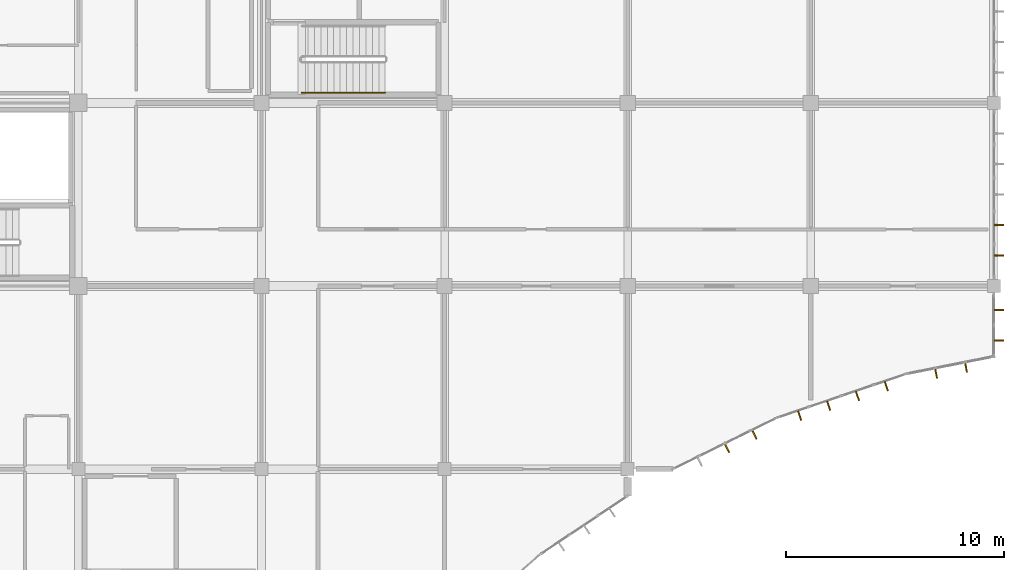
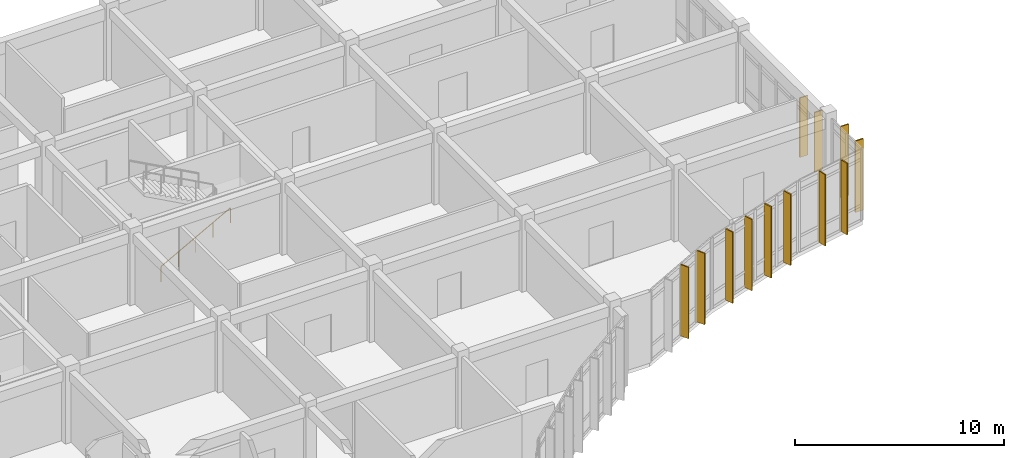
# One storey, part 142 of 144: 12 shading devices, 1 railing.
"""IFC4 building model written with IfcOpenShell, lengths in metres."""

from ifc_helpers import new_model, si_unit, direction, frame, origin, origin_2d, place, context, subcontext, project, spatial, rectangle, circle, extrude, material, material_profile, profile_set, type_object, element, save


model = new_model("IFC4")

# Units and contexts
model_context = context("Model", 3, precision=1e-05, world=origin(), true_north=direction((0.0, 1.0)))
body_context = subcontext(model_context, "Body", "Model", "MODEL_VIEW")
ifc_project = project(units=[si_unit("LENGTHUNIT", "METRE"), si_unit("AREAUNIT", "SQUARE_METRE"), si_unit("VOLUMEUNIT", "CUBIC_METRE"), si_unit("PLANEANGLEUNIT", "RADIAN"), si_unit("MASSUNIT", "GRAM", prefix="KILO")], contexts=[model_context])

# Site, building, storey
site_placement = place(None, origin())
site = spatial("IfcSite", under=ifc_project, at=site_placement, CompositionType="ELEMENT")
building_placement = place(site_placement, origin())
building = spatial("IfcBuilding", under=site, at=building_placement, Name="Bramfleet General Hospital", CompositionType="ELEMENT")
storey_placement = place(building_placement, frame((0.0, 0.0, 4.800048828125)))
storey = spatial("IfcBuildingStorey", under=building, at=storey_placement, Name="L01", CompositionType="ELEMENT", Elevation=4.800048828125)

# Railing
ifc_material_1 = material(Name="Stainless steel 1.4301 stair handrail", Category="steel")
railing_type = type_object("IfcRailingType", Name="RAIL-ST-HND", PredefinedType="HANDRAIL", material=ifc_material_1)
railing_placement = place(storey_placement, frame((136.239990234375, 101.27001953125, 0.16064453125)))
element("IfcRailing", 1, at=railing_placement, inside=storey, type_object=railing_type, Name="L01 ST-C9 stair handrail 1", PredefinedType="HANDRAIL", context=body_context, shape_type="SweptSolid", body=[
    extrude(circle(Radius=0.02392578125, at=origin_2d()), frame((0.0, 0.0, 0.8759765625), z_axis=(0.878130475078, 0.0, 0.478421225218), x_axis=(0.0, 1.0, 0.0)), (0.0, 0.0, 1.0), 4.3671875),
    extrude(circle(Radius=0.02099609375, at=origin_2d()), origin(), (0.0, 0.0, 1.0), 0.851806640625),
    extrude(circle(Radius=0.02099609375, at=origin_2d()), frame((0.958740234375, 0.0, 0.5224609375)), (0.0, 0.0, 1.0), 0.851806640625),
    extrude(circle(Radius=0.02099609375, at=origin_2d()), frame((1.91748046875, 0.0, 1.044677734375)), (0.0, 0.0, 1.0), 0.851806640625),
    extrude(circle(Radius=0.02099609375, at=origin_2d()), frame((2.876220703125, 0.0, 1.56689453125)), (0.0, 0.0, 1.0), 0.851806640625),
    extrude(circle(Radius=0.02099609375, at=origin_2d()), frame((3.8349609375, 0.0, 2.08935546875)), (0.0, 0.0, 1.0), 0.851806640625),
])

# Shading devices
ifc_material_2 = material(Name="Treated European larch timber", Category="wood")
ifc_material_profile = material_profile(ifc_material_2, rectangle(XDim=0.06494140625, YDim=0.449951171875, at=origin_2d()), Name="LARCH FIN 450x65")
ifc_profile_set = profile_set([ifc_material_profile], Name="Treated European larch timber")
shading_device_type = type_object("IfcShadingDeviceType", Name="SHD-FIN-450", PredefinedType="USERDEFINED", material=ifc_profile_set)
for number, where, z_axis, x_axis, name in (
    (2, (168.239990234375, 95.199951171875, -0.02001953125), (0.0, 0.0, 1.0), (0.0, -1.0, 0.0), "L01 Larch Timber Shading Fin 202"),
    (3, (168.239990234375, 93.800048828125, -0.02001953125), (0.0, 0.0, 1.0), (0.0, -1.0, 0.0), "L01 Larch Timber Shading Fin 203"),
):
    element("IfcShadingDevice", number, at=place(storey_placement, frame(where, z_axis=z_axis, x_axis=x_axis)), inside=storey, type_object=shading_device_type, Name=name, ObjectType="Fin", PredefinedType="USERDEFINED", context=body_context, shape_type="SweptSolid", body=[
        extrude(rectangle(XDim=0.06494140625, YDim=0.449951171875, at=origin_2d()), origin(), (0.0, 0.0, 1.0), 3.469970703125),
    ])
for number, where, z_axis, x_axis, name in (
    (4, (168.239990234375, 91.294921875, -0.02001953125), (0.0, 0.0, 1.0), (0.0, -1.0, 0.0), "L01 Larch Timber Shading Fin 204"),
    (5, (168.239990234375, 89.89501953125, -0.02001953125), (0.0, 0.0, 1.0), (0.0, -1.0, 0.0), "L01 Larch Timber Shading Fin 205"),
    (6, (166.721923828125, 88.665771484375, -0.02001953125), (0.0, 0.0, 1.0), (-0.980749087161, -0.195272189606, 0.0), "L01 Larch Timber Shading Fin 206"),
    (7, (165.348876953125, 88.392333984375, -0.02001953125), (0.0, 0.0, 1.0), (-0.980749087161, -0.195272189606, 0.0), "L01 Larch Timber Shading Fin 207"),
    (8, (163.069580078125, 87.802490234375, -0.02001953125), (0.0, 0.0, 1.0), (-0.946949276617, -0.321383054181, 0.0), "L01 Larch Timber Shading Fin 208"),
    (9, (161.743896484375, 87.352783203125, -0.02001953125), (0.0, 0.0, 1.0), (-0.946949276617, -0.321383054181, 0.0), "L01 Larch Timber Shading Fin 209"),
    (10, (160.418212890625, 86.90283203125, -0.02001953125), (0.0, 0.0, 1.0), (-0.946949276617, -0.321383054181, 0.0), "L01 Larch Timber Shading Fin 210"),
    (11, (159.092529296875, 86.452880859375, -0.02001953125), (0.0, 0.0, 1.0), (-0.946949276617, -0.321383054181, 0.0), "L01 Larch Timber Shading Fin 211"),
    (12, (157.014404296875, 85.576904296875, -0.02001953125), (0.0, 0.0, 1.0), (-0.896864723513, -0.442304948782, 0.0), "L01 Larch Timber Shading Fin 212"),
    (13, (155.7587890625, 84.957763671875, -0.02001953125), (0.0, 0.0, 1.0), (-0.896864723513, -0.442304948782, 0.0), "L01 Larch Timber Shading Fin 213"),
):
    element("IfcShadingDevice", number, at=place(storey_placement, frame(where, z_axis=z_axis, x_axis=x_axis)), inside=storey, type_object=shading_device_type, Name=name, ObjectType="Fin", PredefinedType="USERDEFINED", context=body_context, shape_type="SweptSolid", body=[
        extrude(rectangle(XDim=0.06494140625, YDim=0.449951171875, at=origin_2d()), origin(), (0.0, 0.0, 1.0), 4.169921875),
    ])

save(model, "model.ifc")
